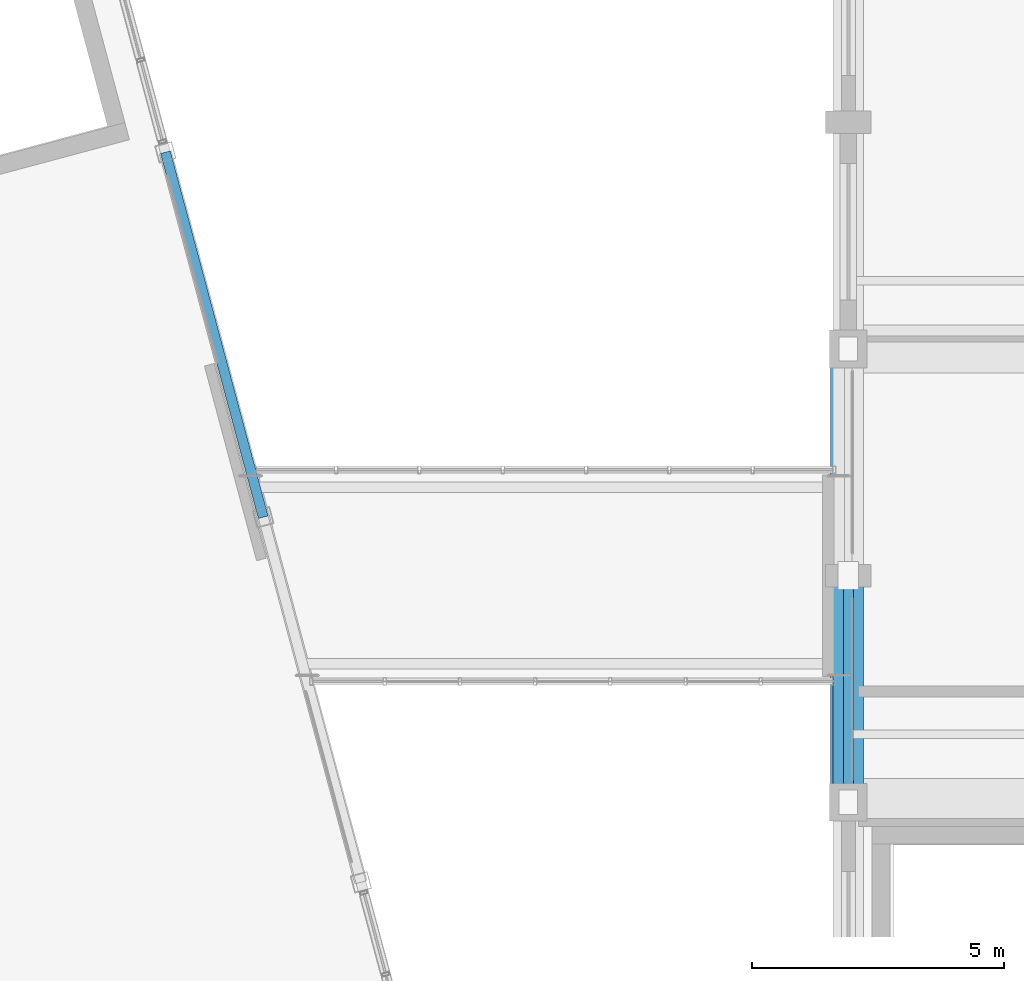
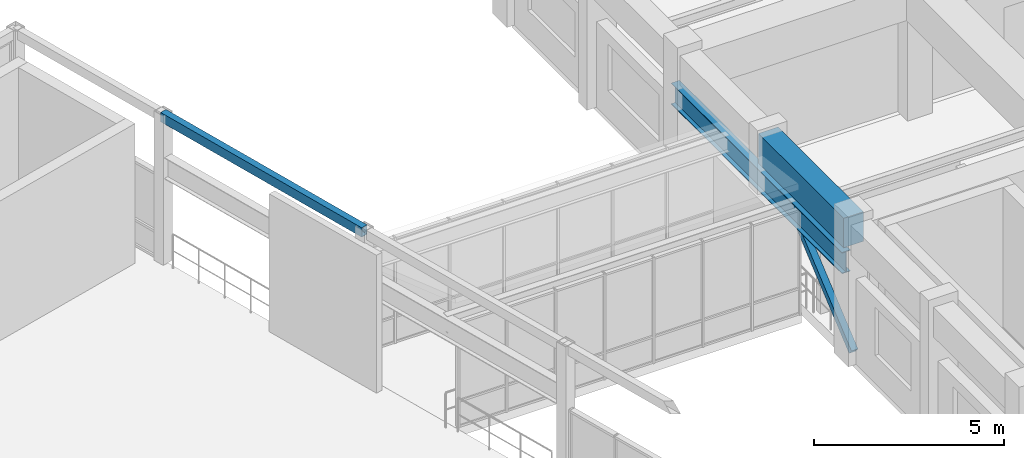
# One storey, part 46 of 99: 3 beams, 1 member.
"""IFC4 building model written with IfcOpenShell, lengths in metres."""

from ifc_helpers import new_model, si_unit, direction, frame, origin, origin_2d, place, context, subcontext, project, spatial, rectangle, hollow_rectangle, i_section, extrude, material, material_profile, profile_set, type_object, element, save


model = new_model("IFC4")

# Units and contexts
model_context = context("Model", 3, precision=1e-05, world=origin(), true_north=direction((0.0, 1.0)))
body_context = subcontext(model_context, "Body", "Model", "MODEL_VIEW")
ifc_project = project(units=[si_unit("LENGTHUNIT", "METRE"), si_unit("AREAUNIT", "SQUARE_METRE"), si_unit("VOLUMEUNIT", "CUBIC_METRE"), si_unit("PLANEANGLEUNIT", "RADIAN"), si_unit("MASSUNIT", "GRAM", prefix="KILO")], contexts=[model_context])

# Site, building, storey
site_placement = place(None, origin())
site = spatial("IfcSite", under=ifc_project, at=site_placement, CompositionType="ELEMENT")
building_placement = place(site_placement, origin())
building = spatial("IfcBuilding", under=site, at=building_placement, Name="Ventoquebrada Cableway Terminal", CompositionType="ELEMENT")
storey_placement = place(building_placement, frame((0.0, 0.0, 9.60009765625)))
storey = spatial("IfcBuildingStorey", under=building, at=storey_placement, Name="L02", CompositionType="ELEMENT", Elevation=9.60009765625)

# Beams
ifc_material_1 = material(Name="Concrete C40/50", Category="concrete")
ifc_material_profile_1 = material_profile(ifc_material_1, rectangle(XDim=0.60009765625, YDim=0.949951171875, at=origin_2d()), Name="RC-BM-600X950")
ifc_profile_set_1 = profile_set([ifc_material_profile_1], Name="Concrete C40/50")
beam_type_1 = type_object("IfcBeamType", Name="BM-RC05", PredefinedType="BEAM", material=ifc_profile_set_1)
beam_1_placement = place(storey_placement, frame((95.0, 86.0, 4.054931640625), z_axis=(0.0, 1.0, 0.0), x_axis=(-1.0, 0.0, 0.0)))
element("IfcBeam", 1, at=beam_1_placement, inside=storey, type_object=beam_type_1, Name="Perimeter spandrel beam FBM-0682", PredefinedType="BEAM", context=body_context, shape_type="SweptSolid", body=[
    extrude(rectangle(XDim=0.60009765625, YDim=0.949951171875, at=origin_2d()), origin(), (0.0, 0.0, 1.0), 4.5),
])
ifc_material_2 = material(Name="Steel ASTM A992 Grade 50", Category="steel")
ifc_material_profile_2 = material_profile(ifc_material_2, i_section(OverallWidth=0.25390625, OverallDepth=0.68798828125, WebThickness=0.01318359375, FlangeThickness=0.02099609375, at=origin_2d()), Name="W27X102")
ifc_profile_set_2 = profile_set([ifc_material_profile_2], Name="Steel ASTM A992 Grade 50")
beam_type_2 = type_object("IfcBeamType", Name="BM-ST04", PredefinedType="BEAM", material=ifc_profile_set_2)
beam_2_placement = place(storey_placement, frame((94.77490234375, 86.0, 3.100830078125), z_axis=(0.0, 1.0, 0.0), x_axis=(-1.0, 0.0, 0.0)))
element("IfcBeam", 2, at=beam_2_placement, inside=storey, type_object=beam_type_2, Name="Bridge roof corbel girder LP-3 FBM-1114", PredefinedType="BEAM", context=body_context, shape_type="SweptSolid", body=[
    extrude(i_section(OverallWidth=0.25390625, OverallDepth=0.68798828125, WebThickness=0.01318359375, FlangeThickness=0.02099609375, at=origin_2d()), origin(), (0.0, 0.0, 1.0), 9.0),
])

# Member
ifc_material_3 = material(Name="Steel ASTM A500 Grade C", Category="steel")
ifc_material_profile_3 = material_profile(ifc_material_3, hollow_rectangle(XDim=0.199951171875, YDim=0.199951171875, WallThickness=0.010009765625, at=origin_2d()), Name="HSS200X200X10")
ifc_profile_set_3 = profile_set([ifc_material_profile_3], Name="Steel ASTM A500 Grade C")
member_type = type_object("IfcMemberType", Name="BRC-FR01", PredefinedType="BRACE", material=ifc_profile_set_3)
member_placement = place(storey_placement, frame((95.0, 86.0, 0.14990234375), z_axis=(0.0, 0.764025829276, 0.645185657155), x_axis=(-1.0, 0.0, 0.0)))
element("IfcMember", 3, at=member_placement, inside=storey, type_object=member_type, Name="Concentric lateral chevron brace BR-0539", PredefinedType="BRACE", context=body_context, shape_type="SweptSolid", body=[
    extrude(hollow_rectangle(XDim=0.199951171875, YDim=0.199951171875, WallThickness=0.010009765625, at=origin_2d()), origin(), (0.0, 0.0, 1.0), 5.889892578125),
])

# Beam
ifc_material_profile_4 = material_profile(ifc_material_3, hollow_rectangle(XDim=0.199951171875, YDim=0.300048828125, WallThickness=0.012451171875, at=origin_2d()), Name="RHS300X200X12.5")
ifc_profile_set_4 = profile_set([ifc_material_profile_4], Name="Steel ASTM A500 Grade C")
beam_type_3 = type_object("IfcBeamType", Name="SP-ST02", PredefinedType="SPANDREL", material=ifc_profile_set_4)
beam_3_placement = place(storey_placement, frame((83.386962890625, 91.658935546875, 4.64990234375), z_axis=(-0.258801172479, 0.965930615067, 0.0), x_axis=(-0.965930615067, -0.258801172479, 0.0)))
element("IfcBeam", 4, at=beam_3_placement, inside=storey, type_object=beam_type_3, Name="Boarding hall perimeter tie beam FBM-1087", PredefinedType="SPANDREL", context=body_context, shape_type="SweptSolid", body=[
    extrude(hollow_rectangle(XDim=0.199951171875, YDim=0.300048828125, WallThickness=0.012451171875, at=origin_2d()), origin(), (0.0, 0.0, 1.0), 7.499755859375),
])

save(model, "model.ifc")
